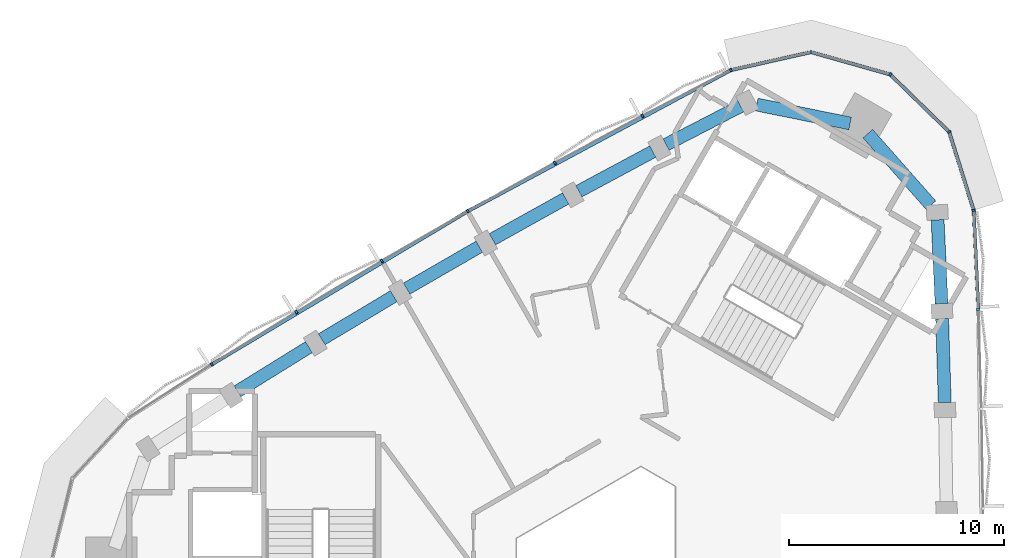
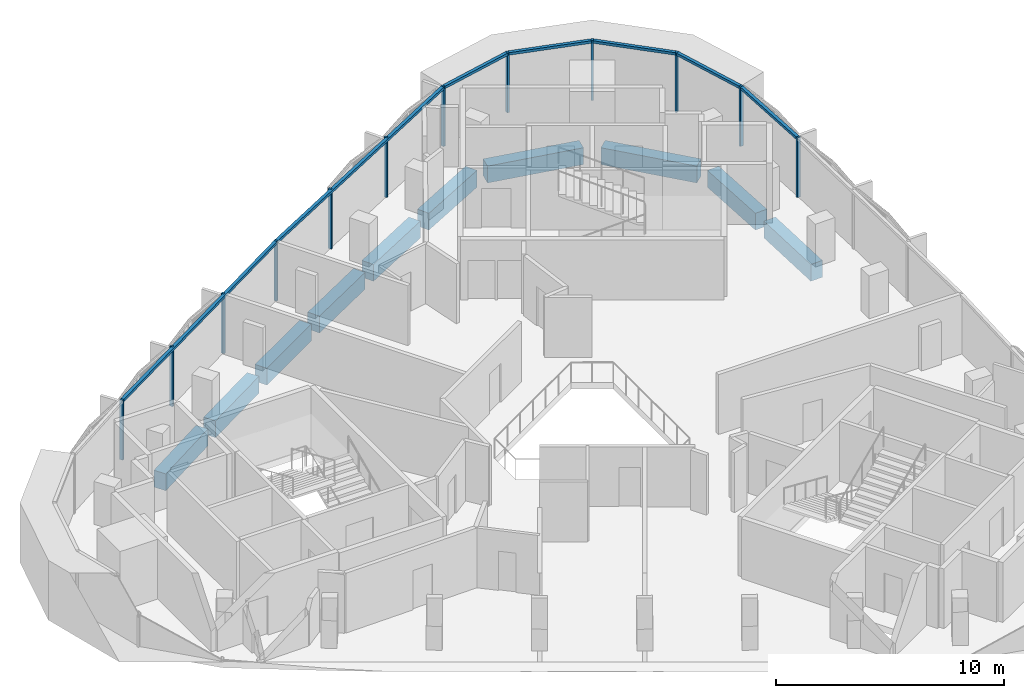
# One storey, part 4 of 13: 19 members, 10 beams, 2 elements without a shape of their own.
"""IFC4 building model written with IfcOpenShell, lengths in metres."""

from ifc_helpers import new_model, si_unit, direction, frame, origin, origin_2d, place, context, subcontext, project, spatial, rectangle, extrude, material, material_profile, profile_set, type_object, element, aggregate, save


model = new_model("IFC4")

# Units and contexts
model_context = context("Model", 3, precision=1e-05, world=origin(), true_north=direction((0.0, 1.0)))
body_context = subcontext(model_context, "Body", "Model", "MODEL_VIEW")
ifc_project = project(units=[si_unit("LENGTHUNIT", "METRE"), si_unit("AREAUNIT", "SQUARE_METRE"), si_unit("VOLUMEUNIT", "CUBIC_METRE"), si_unit("PLANEANGLEUNIT", "RADIAN"), si_unit("MASSUNIT", "GRAM", prefix="KILO")], contexts=[model_context])

# Site, building, storey
site_placement = place(None, origin())
site = spatial("IfcSite", under=ifc_project, at=site_placement, CompositionType="ELEMENT")
building_placement = place(site_placement, origin())
building = spatial("IfcBuilding", under=site, at=building_placement, Name="Tamra Quay Hotel Tower", CompositionType="ELEMENT")
storey_placement = place(building_placement, frame((0.0, 0.0, 298.199951171875)))
storey = spatial("IfcBuildingStorey", under=building, at=storey_placement, Name="L75", CompositionType="ELEMENT", Elevation=298.199951171875)

# Curtain wall, members
ifc_material_1 = material(Name="Aluminium 6063 anodised dark grey", Category="aluminium")
curtain_wall_type_1 = type_object("IfcCurtainWallType", Name="CW1 CURTAIN WALL", PredefinedType="NOTDEFINED", material=ifc_material_1)
curtain_wall_1_placement = place(storey_placement, origin())
curtain_wall_1 = element("IfcCurtainWall", 1, at=curtain_wall_1_placement, inside=storey, type_object=curtain_wall_type_1, Name="CW1 east face L75", PredefinedType="NOTDEFINED")
ifc_material_profile_1 = material_profile(ifc_material_1, rectangle(XDim=0.159912109375, YDim=0.10009765625, at=origin_2d()), Name="MULLION 100X160")
ifc_profile_set_1 = profile_set([ifc_material_profile_1], Name="Aluminium 6063 anodised dark grey")
member_type_1 = type_object("IfcMemberType", Name="MULLION CW1 Z6", PredefinedType="MULLION", material=ifc_profile_set_1)
member_1_placement = place(storey_placement, frame((17.116943359375, 11.580810546875, 0.0), z_axis=(0.0, 0.0, 1.0), x_axis=(0.999237932992, 0.039032720501, 0.0)))
member_1 = element("IfcMember", 2, at=member_1_placement, type_object=member_type_1, Name="CW1 mullion L75.E.7", PredefinedType="MULLION", context=body_context, shape_type="SweptSolid", body=[
    extrude(rectangle(XDim=0.159912109375, YDim=0.10009765625, at=origin_2d()), origin(), (0.0, 0.0, 1.0), 3.199951171875),
])
member_2_placement = place(storey_placement, frame((16.89990234375, 16.210205078125, 0.0), z_axis=(0.0, 0.0, 1.0), x_axis=(0.984739919862, 0.174032440167, 0.0)))
member_2 = element("IfcMember", 3, at=member_2_placement, type_object=member_type_1, Name="CW1 mullion L75.E.8", PredefinedType="MULLION", context=body_context, shape_type="SweptSolid", body=[
    extrude(rectangle(XDim=0.159912109375, YDim=0.10009765625, at=origin_2d()), origin(), (0.0, 0.0, 1.0), 3.199951171875),
])
member_3_placement = place(storey_placement, frame((15.757080078125, 19.865966796875, 0.0), z_axis=(0.0, 0.0, 1.0), x_axis=(0.851964184595, 0.523600065094, 0.0)))
member_3 = element("IfcMember", 4, at=member_3_placement, type_object=member_type_1, Name="CW1 mullion L75.E.9", PredefinedType="MULLION", context=body_context, shape_type="SweptSolid", body=[
    extrude(rectangle(XDim=0.159912109375, YDim=0.10009765625, at=origin_2d()), origin(), (0.0, 0.0, 1.0), 3.199951171875),
])
member_4_placement = place(storey_placement, frame((13.01171875, 22.536865234375, 0.0), z_axis=(0.0, 0.0, 1.0), x_axis=(0.5, 0.866025403784, 0.0)))
member_4 = element("IfcMember", 5, at=member_4_placement, type_object=member_type_1, Name="CW1 mullion L75.E.10", PredefinedType="MULLION", context=body_context, shape_type="SweptSolid", body=[
    extrude(rectangle(XDim=0.159912109375, YDim=0.10009765625, at=origin_2d()), origin(), (0.0, 0.0, 1.0), 3.199951171875),
])
member_5_placement = place(storey_placement, frame((9.325927734375, 23.578857421875, 0.0), z_axis=(0.0, 0.0, 1.0), x_axis=(0.027468865497, 0.999622659521, 0.0)))
member_5 = element("IfcMember", 6, at=member_5_placement, type_object=member_type_1, Name="CW1 mullion L75.E.11", PredefinedType="MULLION", context=body_context, shape_type="SweptSolid", body=[
    extrude(rectangle(XDim=0.159912109375, YDim=0.10009765625, at=origin_2d()), origin(), (0.0, 0.0, 1.0), 3.199951171875),
])

curtain_wall_type_2 = type_object("IfcCurtainWallType", Name="CW2 CURTAIN WALL", PredefinedType="NOTDEFINED", material=ifc_material_1)
curtain_wall_2_placement = place(storey_placement, origin())
curtain_wall_2 = element("IfcCurtainWall", 7, at=curtain_wall_2_placement, inside=storey, type_object=curtain_wall_type_2, Name="CW2 north-west face L75", PredefinedType="NOTDEFINED")
ifc_material_profile_2 = material_profile(ifc_material_1, rectangle(XDim=0.159912109375, YDim=0.10009765625, at=origin_2d()), Name="MULLION 100X160")
ifc_profile_set_2 = profile_set([ifc_material_profile_2], Name="Aluminium 6063 anodised dark grey")
member_type_2 = type_object("IfcMemberType", Name="MULLION CW2 Z6", PredefinedType="MULLION", material=ifc_profile_set_2)
member_6_placement = place(storey_placement, frame((5.588623046875, 22.740966796875, 0.0), z_axis=(0.0, 0.0, 1.0), x_axis=(-0.341653445664, 0.939826006804, 0.0)))
member_6 = element("IfcMember", 8, at=member_6_placement, type_object=member_type_2, Name="CW2 mullion L75.NW.1", PredefinedType="MULLION", context=body_context, shape_type="SweptSolid", body=[
    extrude(rectangle(XDim=0.159912109375, YDim=0.10009765625, at=origin_2d()), origin(), (0.0, 0.0, 1.0), 3.199951171875),
])
member_7_placement = place(storey_placement, frame((1.470947265625, 20.6142578125, 0.0), z_axis=(0.0, 0.0, 1.0), x_axis=(-0.465815638963, 0.884881794647, 0.0)))
member_7 = element("IfcMember", 9, at=member_7_placement, type_object=member_type_2, Name="CW2 mullion L75.NW.2", PredefinedType="MULLION", context=body_context, shape_type="SweptSolid", body=[
    extrude(rectangle(XDim=0.159912109375, YDim=0.10009765625, at=origin_2d()), origin(), (0.0, 0.0, 1.0), 3.199951171875),
])
member_8_placement = place(storey_placement, frame((-2.611572265625, 18.424072265625, 0.0), z_axis=(0.0, 0.0, 1.0), x_axis=(-0.479564906203, 0.877506410654, 0.0)))
member_8 = element("IfcMember", 10, at=member_8_placement, type_object=member_type_2, Name="CW2 mullion L75.NW.3", PredefinedType="MULLION", context=body_context, shape_type="SweptSolid", body=[
    extrude(rectangle(XDim=0.159912109375, YDim=0.10009765625, at=origin_2d()), origin(), (0.0, 0.0, 1.0), 3.199951171875),
])
member_9_placement = place(storey_placement, frame((-6.660400390625, 16.170166015625, 0.0), z_axis=(0.0, 0.0, 1.0), x_axis=(-0.493215493305, 0.869907165831, 0.0)))
member_9 = element("IfcMember", 11, at=member_9_placement, type_object=member_type_2, Name="CW2 mullion L75.NW.4", PredefinedType="MULLION", context=body_context, shape_type="SweptSolid", body=[
    extrude(rectangle(XDim=0.159912109375, YDim=0.10009765625, at=origin_2d()), origin(), (0.0, 0.0, 1.0), 3.199951171875),
])
member_10_placement = place(storey_placement, frame((-10.673583984375, 13.853271484375, 0.0), z_axis=(0.0, 0.0, 1.0), x_axis=(-0.506753957891, 0.862090729658, 0.0)))
member_10 = element("IfcMember", 12, at=member_10_placement, type_object=member_type_2, Name="CW2 mullion L75.NW.5", PredefinedType="MULLION", context=body_context, shape_type="SweptSolid", body=[
    extrude(rectangle(XDim=0.159912109375, YDim=0.10009765625, at=origin_2d()), origin(), (0.0, 0.0, 1.0), 3.199951171875),
])
member_11_placement = place(storey_placement, frame((-14.64990234375, 11.473876953125, 0.0), z_axis=(0.0, 0.0, 1.0), x_axis=(-0.520160390508, 0.854068596862, 0.0)))
member_11 = element("IfcMember", 13, at=member_11_placement, type_object=member_type_2, Name="CW2 mullion L75.NW.6", PredefinedType="MULLION", context=body_context, shape_type="SweptSolid", body=[
    extrude(rectangle(XDim=0.159912109375, YDim=0.10009765625, at=origin_2d()), origin(), (0.0, 0.0, 1.0), 3.199951171875),
])
member_12_placement = place(storey_placement, frame((-18.587890625, 9.033203125, 0.0), z_axis=(0.0, 0.0, 1.0), x_axis=(-0.533422294029, 0.845849074146, 0.0)))
member_12 = element("IfcMember", 14, at=member_12_placement, type_object=member_type_2, Name="CW2 mullion L75.NW.7", PredefinedType="MULLION", context=body_context, shape_type="SweptSolid", body=[
    extrude(rectangle(XDim=0.159912109375, YDim=0.10009765625, at=origin_2d()), origin(), (0.0, 0.0, 1.0), 3.199951171875),
])

# Beams
ifc_material_2 = material(Name="Concrete M60", Category="concrete")
ifc_material_profile_3 = material_profile(ifc_material_2, rectangle(XDim=0.60009765625, YDim=0.89990234375, at=origin_2d()), Name="SPANDREL BEAM RC 600x900")
ifc_profile_set_3 = profile_set([ifc_material_profile_3], Name="Concrete M60")
beam_type = type_object("IfcBeamType", Name="SPANDREL BEAM RC 600x900", PredefinedType="SPANDREL", material=ifc_profile_set_3)
beam_1_placement = place(storey_placement, frame((15.55126953125, 7.259765625, -0.800048828125), z_axis=(-0.031240604276, 0.999511893198, 0.0), x_axis=(-0.999511893198, -0.031240604276, 0.0)))
element("IfcBeam", 15, at=beam_1_placement, inside=storey, type_object=beam_type, Name="BM-SP6-005-L75", PredefinedType="SPANDREL", context=body_context, shape_type="SweptSolid", body=[
    extrude(rectangle(XDim=0.60009765625, YDim=0.89990234375, at=origin_2d()), origin(), (0.0, 0.0, 1.0), 3.907470703125),
])
beam_2_placement = place(storey_placement, frame((15.40185546875, 11.86474609375, -0.800048828125), z_axis=(-0.04680507522, 0.998904041905, 0.0), x_axis=(-0.998904041905, -0.04680507522, 0.0)))
element("IfcBeam", 16, at=beam_2_placement, inside=storey, type_object=beam_type, Name="BM-SP6-006-L75", PredefinedType="SPANDREL", context=body_context, shape_type="SweptSolid", body=[
    extrude(rectangle(XDim=0.60009765625, YDim=0.89990234375, at=origin_2d()), origin(), (0.0, 0.0, 1.0), 3.906982421875),
])
beam_3_placement = place(storey_placement, frame((14.9072265625, 16.451171875, -0.800048828125), z_axis=(-0.661856103448, 0.749630908066, 0.0), x_axis=(-0.749630908066, -0.661856103448, 0.0)))
element("IfcBeam", 17, at=beam_3_placement, inside=storey, type_object=beam_type, Name="BM-SP6-007-L75", PredefinedType="SPANDREL", context=body_context, shape_type="SweptSolid", body=[
    extrude(rectangle(XDim=0.60009765625, YDim=0.89990234375, at=origin_2d()), origin(), (0.0, 0.0, 1.0), 4.44189453125),
])
beam_4_placement = place(storey_placement, frame((11.146728515625, 20.25439453125, -0.800048828125), z_axis=(-0.980114952618, 0.198430541133, 0.0), x_axis=(-0.198430541133, -0.980114952618, 0.0)))
element("IfcBeam", 18, at=beam_4_placement, inside=storey, type_object=beam_type, Name="BM-SP6-008-L75", PredefinedType="SPANDREL", context=body_context, shape_type="SweptSolid", body=[
    extrude(rectangle(XDim=0.60009765625, YDim=0.89990234375, at=origin_2d()), origin(), (0.0, 0.0, 1.0), 4.441650390625),
])
beam_5_placement = place(storey_placement, frame((6.04541015625, 21.063720703125, -0.800048828125), z_axis=(-0.888476019227, -0.458923047208, 0.0), x_axis=(0.458923047208, -0.888476019227, 0.0)))
element("IfcBeam", 19, at=beam_5_placement, inside=storey, type_object=beam_type, Name="BM-SP6-009-L75", PredefinedType="SPANDREL", context=body_context, shape_type="SweptSolid", body=[
    extrude(rectangle(XDim=0.60009765625, YDim=0.89990234375, at=origin_2d()), origin(), (0.0, 0.0, 1.0), 3.906982421875),
])
beam_6_placement = place(storey_placement, frame((1.954833984375, 18.944580078125, -0.800048828125), z_axis=(-0.88123835064, -0.472672158437, 0.0), x_axis=(0.472672158437, -0.88123835064, 0.0)))
element("IfcBeam", 20, at=beam_6_placement, inside=storey, type_object=beam_type, Name="BM-SP6-010-L75", PredefinedType="SPANDREL", context=body_context, shape_type="SweptSolid", body=[
    extrude(rectangle(XDim=0.60009765625, YDim=0.89990234375, at=origin_2d()), origin(), (0.0, 0.0, 1.0), 3.907470703125),
])
for number, where, z_axis, x_axis, name in (
    (21, (-2.102783203125, 16.761962890625, -0.800048828125), (-0.873726581477, -0.486417373066, 0.0), (0.486417373066, -0.873726581477, 0.0), "BM-SP6-011-L75"),
    (22, (-6.125244140625, 14.516357421875, -0.800048828125), (-0.866011803689, -0.500023555316, 0.0), (0.500023555316, -0.866011803689, 0.0), "BM-SP6-012-L75"),
):
    element("IfcBeam", number, at=place(storey_placement, frame(where, z_axis=z_axis, x_axis=x_axis)), inside=storey, type_object=beam_type, Name=name, PredefinedType="SPANDREL", context=body_context, shape_type="SweptSolid", body=[
        extrude(rectangle(XDim=0.60009765625, YDim=0.89990234375, at=origin_2d()), origin(), (0.0, 0.0, 1.0), 3.906982421875),
    ])
beam_7_placement = place(storey_placement, frame((-10.1123046875, 12.2080078125, -0.800048828125), z_axis=(-0.858120821909, -0.513447811376, 0.0), x_axis=(0.513447811376, -0.858120821909, 0.0)))
element("IfcBeam", 23, at=beam_7_placement, inside=storey, type_object=beam_type, Name="BM-SP6-013-L75", PredefinedType="SPANDREL", context=body_context, shape_type="SweptSolid", body=[
    extrude(rectangle(XDim=0.60009765625, YDim=0.89990234375, at=origin_2d()), origin(), (0.0, 0.0, 1.0), 3.9072265625),
])
beam_8_placement = place(storey_placement, frame((-14.062744140625, 9.837890625, -0.800048828125), z_axis=(-0.849972078006, -0.526827739029, 0.0), x_axis=(0.526827739029, -0.849972078006, 0.0)))
element("IfcBeam", 24, at=beam_8_placement, inside=storey, type_object=beam_type, Name="BM-SP6-014-L75", PredefinedType="SPANDREL", context=body_context, shape_type="SweptSolid", body=[
    extrude(rectangle(XDim=0.60009765625, YDim=0.89990234375, at=origin_2d()), origin(), (0.0, 0.0, 1.0), 3.907470703125),
])

# Member
ifc_material_profile_4 = material_profile(ifc_material_1, rectangle(XDim=0.159912109375, YDim=0.139892578125, at=origin_2d()), Name="TRANSOM 160X140")
ifc_profile_set_4 = profile_set([ifc_material_profile_4], Name="Aluminium 6063 anodised dark grey")
member_type_3 = type_object("IfcMemberType", Name="TRANSOM CW1 Z6", PredefinedType="USERDEFINED", material=ifc_profile_set_4)
member_13_placement = place(storey_placement, frame((17.114501953125, 11.630859375, 3.130126953125), z_axis=(-0.046787491417, 0.998904865664, 0.0), x_axis=(-0.998904865664, -0.046787491417, 0.0)))
member_13 = element("IfcMember", 25, at=member_13_placement, type_object=member_type_3, Name="CW1 transom L75.E.7", ObjectType="TRANSOM", PredefinedType="USERDEFINED", context=body_context, shape_type="SweptSolid", body=[
    extrude(rectangle(XDim=0.159912109375, YDim=0.139892578125, at=origin_2d()), origin(), (0.0, 0.0, 1.0), 4.534423828125),
])

member_14_placement = place(storey_placement, frame((16.885009765625, 16.258056640625, 3.130126953125), z_axis=(-0.298383063983, 0.95444619918, 0.0), x_axis=(-0.95444619918, -0.298383063983, 0.0)))
member_14 = element("IfcMember", 26, at=member_14_placement, type_object=member_type_3, Name="CW1 transom L75.E.8", ObjectType="TRANSOM", PredefinedType="USERDEFINED", context=body_context, shape_type="SweptSolid", body=[
    extrude(rectangle(XDim=0.159912109375, YDim=0.139892578125, at=origin_2d()), origin(), (0.0, 0.0, 1.0), 3.730224609375),
])

member_15_placement = place(storey_placement, frame((15.72119140625, 19.90087890625, 3.130126953125), z_axis=(-0.716759527702, 0.697320428102, 0.0), x_axis=(-0.697320428102, -0.716759527702, 0.0)))
member_15 = element("IfcMember", 27, at=member_15_placement, type_object=member_type_3, Name="CW1 transom L75.E.9", ObjectType="TRANSOM", PredefinedType="USERDEFINED", context=body_context, shape_type="SweptSolid", body=[
    extrude(rectangle(XDim=0.159912109375, YDim=0.139892578125, at=origin_2d()), origin(), (0.0, 0.0, 1.0), 3.72998046875),
])

member_16_placement = place(storey_placement, frame((12.963623046875, 22.550537109375, 3.130126953125), z_axis=(-0.9622784918, 0.272066359955, 0.0), x_axis=(-0.272066359955, -0.9622784918, 0.0)))
member_16 = element("IfcMember", 28, at=member_16_placement, type_object=member_type_3, Name="CW1 transom L75.E.10", ObjectType="TRANSOM", PredefinedType="USERDEFINED", context=body_context, shape_type="SweptSolid", body=[
    extrude(rectangle(XDim=0.159912109375, YDim=0.139892578125, at=origin_2d()), origin(), (0.0, 0.0, 1.0), 3.730224609375),
])

member_17_placement = place(storey_placement, frame((9.277099609375, 23.568115234375, 3.130126953125), z_axis=(-0.975757055509, -0.218856502356, 0.0), x_axis=(0.218856502356, -0.975757055509, 0.0)))
member_17 = element("IfcMember", 29, at=member_17_placement, type_object=member_type_3, Name="CW1 transom L75.E.11", ObjectType="TRANSOM", PredefinedType="USERDEFINED", context=body_context, shape_type="SweptSolid", body=[
    extrude(rectangle(XDim=0.159912109375, YDim=0.139892578125, at=origin_2d()), origin(), (0.0, 0.0, 1.0), 3.730224609375),
])

aggregate(curtain_wall_1, [member_1, member_13, member_2, member_14, member_3, member_15, member_4, member_16, member_5, member_17])

ifc_material_profile_5 = material_profile(ifc_material_1, rectangle(XDim=0.159912109375, YDim=0.139892578125, at=origin_2d()), Name="TRANSOM 160X140")
ifc_profile_set_5 = profile_set([ifc_material_profile_5], Name="Aluminium 6063 anodised dark grey")
member_type_4 = type_object("IfcMemberType", Name="TRANSOM CW2 Z6", PredefinedType="USERDEFINED", material=ifc_profile_set_5)
member_18_placement = place(storey_placement, frame((5.544189453125, 22.718017578125, 3.130126953125), z_axis=(-0.881218148164, -0.472709821504, 0.0), x_axis=(0.472709821504, -0.881218148164, 0.0)))
member_18 = element("IfcMember", 30, at=member_18_placement, type_object=member_type_4, Name="CW2 transom L75.NW.1", ObjectType="TRANSOM", PredefinedType="USERDEFINED", context=body_context, shape_type="SweptSolid", body=[
    extrude(rectangle(XDim=0.159912109375, YDim=0.139892578125, at=origin_2d()), origin(), (0.0, 0.0, 1.0), 13.800048828125),
])

member_19_placement = place(storey_placement, frame((-6.703857421875, 16.145263671875, 3.130126953125), z_axis=(-0.858107364644, -0.513470301715, 0.0), x_axis=(0.513470301715, -0.858107364644, 0.0)))
member_19 = element("IfcMember", 31, at=member_19_placement, type_object=member_type_4, Name="CW2 transom L75.NW.4", ObjectType="TRANSOM", PredefinedType="USERDEFINED", context=body_context, shape_type="SweptSolid", body=[
    extrude(rectangle(XDim=0.159912109375, YDim=0.139892578125, at=origin_2d()), origin(), (0.0, 0.0, 1.0), 13.799560546875),
])

aggregate(curtain_wall_2, [member_6, member_18, member_7, member_8, member_9, member_19, member_10, member_11, member_12])

save(model, "model.ifc")
